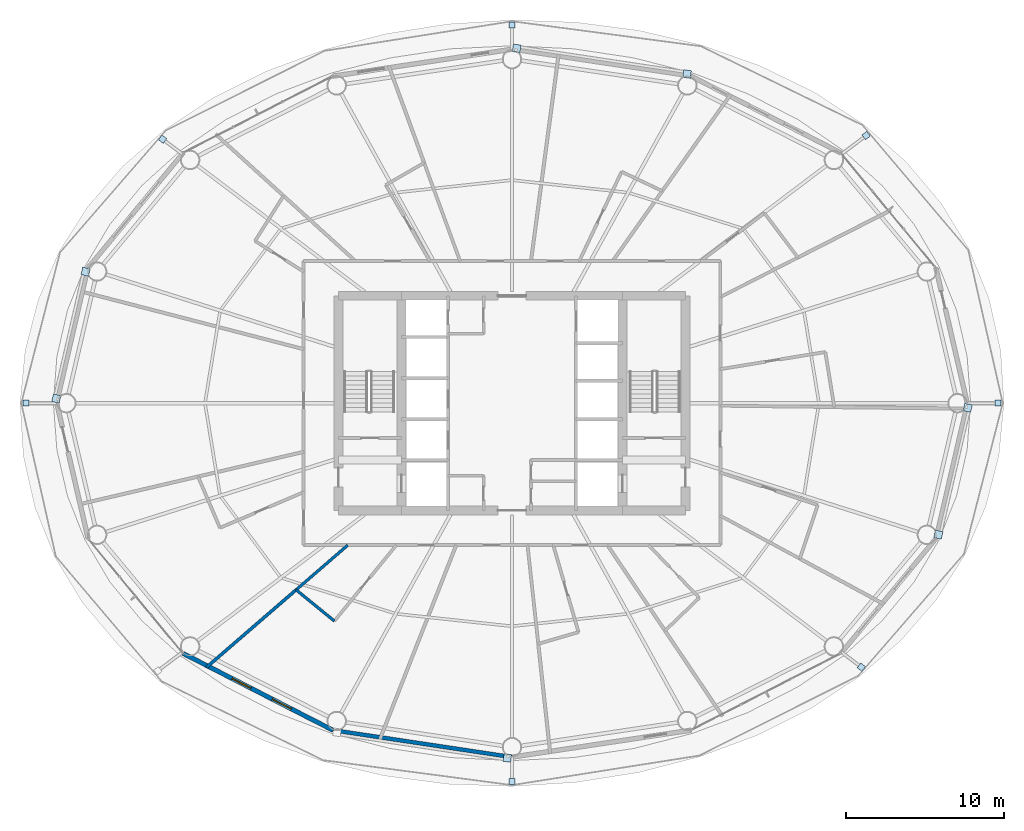
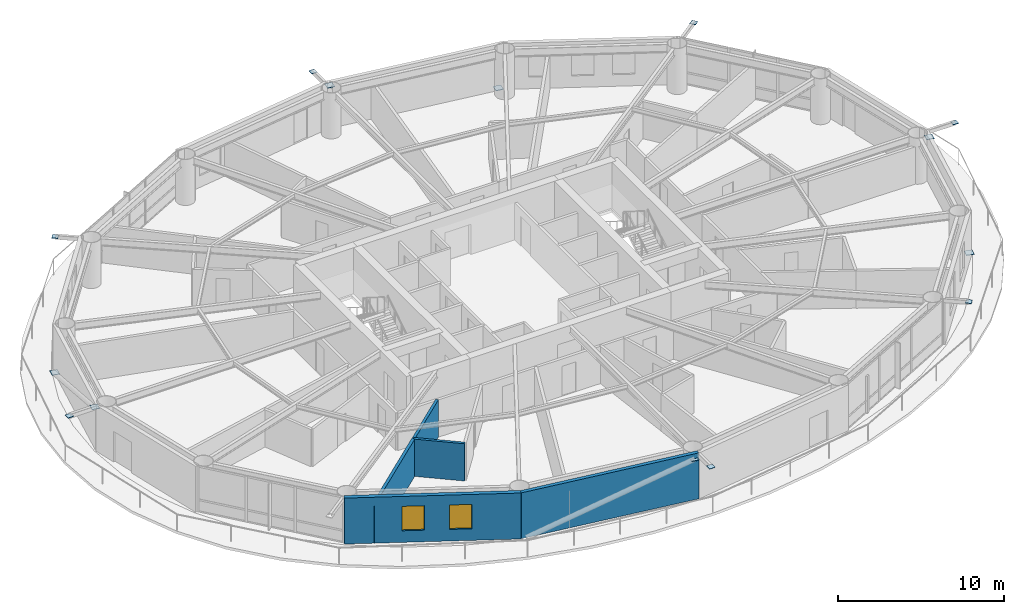
# One storey, part 17 of 24: 14 plates, 5 walls, 2 windows, 2 openings.
"""IFC4 building model written with IfcOpenShell, lengths in metres."""

from ifc_helpers import new_model, si_unit, direction, frame, frame_2d, origin, origin_2d, place, context, subcontext, project, spatial, rectangle, extrude, material, layer, layer_set, type_object, element, fill, save


model = new_model("IFC4")

# Units and contexts
model_context = context("Model", 3, precision=1e-05, world=origin(), true_north=direction((0.0, 1.0)))
body_context = subcontext(model_context, "Body", "Model", "MODEL_VIEW")
ifc_project = project(units=[si_unit("LENGTHUNIT", "METRE"), si_unit("AREAUNIT", "SQUARE_METRE"), si_unit("VOLUMEUNIT", "CUBIC_METRE"), si_unit("PLANEANGLEUNIT", "RADIAN"), si_unit("MASSUNIT", "GRAM", prefix="KILO")], contexts=[model_context])

# Site, building, storey
site_placement = place(None, origin())
site = spatial("IfcSite", under=ifc_project, at=site_placement, CompositionType="ELEMENT")
building_placement = place(site_placement, origin())
building = spatial("IfcBuilding", under=site, at=building_placement, Name="Sarneth Arch Tower", CompositionType="ELEMENT")
storey_placement = place(building_placement, frame((0.0, 0.0, 105.60009765625)))
storey = spatial("IfcBuildingStorey", under=building, at=storey_placement, Name="L26", CompositionType="ELEMENT", Elevation=105.60009765625)

# Plates
ifc_material_1 = material(Name="Steel S355", Category="steel")
ifc_layer_1 = layer(ifc_material_1, 0.035888671875)
ifc_layer_set_1 = layer_set([ifc_layer_1], Name="Steel S355")
plate_type = type_object("IfcPlateType", Name="PLT-GUSSET-30", PredefinedType="SHEET", material=ifc_layer_set_1)
for number, where, z_axis, x_axis, name in (
    (1, (78.809326171875, 42.0, 3.2021484375), (0.0, 0.0, 1.0), (1.0, 0.0, 0.0), "Steel end cap plate GP-1"),
    (2, (70.44482421875, 58.9619140625, 3.2021484375), (0.0, 0.0, 1.0), (0.797794439539, 0.602929541689, 0.0), "Steel end cap plate GP-1"),
):
    element("IfcPlate", number, at=place(storey_placement, frame(where, z_axis=z_axis, x_axis=x_axis)), inside=storey, type_object=plate_type, Name=name, PredefinedType="SHEET", context=body_context, shape_type="SweptSolid", body=[
        extrude(rectangle(XDim=0.3798828125, YDim=0.3798828125, at=origin_2d()), origin(), (0.0, 0.0, 1.0), 0.035888671875),
    ])
for number, where, z_axis, x_axis, name in (
    (3, (59.0927734375, 62.859619140625, 0.001953125), (0.0, 0.0, 1.0), (-0.988860535448, 0.148845024885, 0.0), "Steel end cap plate GP-1"),
    (4, (48.296630859375, 64.4853515625, 2.99462890625), (0.0, 0.0, 1.0), (-0.988860535448, 0.148845024885, 0.0), "Steel end cap plate GP-1"),
):
    element("IfcPlate", number, at=place(storey_placement, frame(where, z_axis=z_axis, x_axis=x_axis)), inside=storey, type_object=plate_type, Name=name, PredefinedType="SHEET", context=body_context, shape_type="SweptSolid", body=[
        extrude(rectangle(XDim=0.486083984375, YDim=0.486083984375, at=origin_2d()), origin(), (0.0, 0.0, 1.0), 0.035888671875),
    ])
for number, where, z_axis, x_axis, name in (
    (5, (48.0, 65.977294921875, 3.2021484375), (0.0, 0.0, 1.0), (0.0, 1.0, 0.0), "Steel end cap plate GP-1"),
    (6, (25.85986328125, 58.731689453125, 3.2021484375), (0.0, 0.0, 1.0), (-0.797794439539, 0.602929541689, 0.0), "Steel end cap plate GP-1"),
):
    element("IfcPlate", number, at=place(storey_placement, frame(where, z_axis=z_axis, x_axis=x_axis)), inside=storey, type_object=plate_type, Name=name, PredefinedType="SHEET", context=body_context, shape_type="SweptSolid", body=[
        extrude(rectangle(XDim=0.3798828125, YDim=0.3798828125, at=origin_2d()), origin(), (0.0, 0.0, 1.0), 0.035888671875),
    ])
for number, where, z_axis, x_axis, name in (
    (7, (20.98046875, 50.32958984375, 0.001953125), (0.0, 0.0, 1.0), (-0.225291159947, -0.974291482694, 0.0), "Steel end cap plate GP-1"),
    (8, (19.121337890625, 42.292236328125, 2.99462890625), (0.0, 0.0, 1.0), (-0.225291159947, -0.974291482694, 0.0), "Steel end cap plate GP-1"),
):
    element("IfcPlate", number, at=place(storey_placement, frame(where, z_axis=z_axis, x_axis=x_axis)), inside=storey, type_object=plate_type, Name=name, PredefinedType="SHEET", context=body_context, shape_type="SweptSolid", body=[
        extrude(rectangle(XDim=0.486083984375, YDim=0.486083984375, at=origin_2d()), origin(), (0.0, 0.0, 1.0), 0.035888671875),
    ])
plate_1_placement = place(storey_placement, frame((17.190673828125, 42.0, 3.2021484375), z_axis=(0.0, 0.0, 1.0), x_axis=(-1.0, 0.0, 0.0)))
element("IfcPlate", 9, at=plate_1_placement, inside=storey, type_object=plate_type, Name="Steel end cap plate GP-1", PredefinedType="SHEET", context=body_context, shape_type="SweptSolid", body=[
    extrude(rectangle(XDim=0.3798828125, YDim=0.3798828125, at=origin_2d()), origin(), (0.0, 0.0, 1.0), 0.035888671875),
])
plate_2_placement = place(storey_placement, frame((47.703369140625, 19.5146484375, 2.99462890625), z_axis=(0.0, 0.0, 1.0), x_axis=(0.988860535448, -0.148845024885, 0.0)))
element("IfcPlate", 10, at=plate_2_placement, inside=storey, type_object=plate_type, Name="Steel end cap plate GP-1", PredefinedType="SHEET", context=body_context, shape_type="SweptSolid", body=[
    extrude(rectangle(XDim=0.486083984375, YDim=0.486083984375, at=origin_2d()), origin(), (0.0, 0.0, 1.0), 0.035888671875),
])
for number, where, z_axis, x_axis, name in (
    (11, (48.0, 18.022705078125, 3.2021484375), (0.0, 0.0, 1.0), (0.0, -1.0, 0.0), "Steel end cap plate GP-1"),
    (12, (70.14013671875, 25.268310546875, 3.2021484375), (0.0, 0.0, 1.0), (0.797794439539, -0.602929541689, 0.0), "Steel end cap plate GP-1"),
):
    element("IfcPlate", number, at=place(storey_placement, frame(where, z_axis=z_axis, x_axis=x_axis)), inside=storey, type_object=plate_type, Name=name, PredefinedType="SHEET", context=body_context, shape_type="SweptSolid", body=[
        extrude(rectangle(XDim=0.3798828125, YDim=0.3798828125, at=origin_2d()), origin(), (0.0, 0.0, 1.0), 0.035888671875),
    ])
for number, where, z_axis, x_axis, name in (
    (13, (75.01953125, 33.67041015625, 0.001953125), (0.0, 0.0, 1.0), (0.225291159947, 0.974291482694, 0.0), "Steel end cap plate GP-1"),
    (14, (76.878662109375, 41.707763671875, 2.99462890625), (0.0, 0.0, 1.0), (0.225291159947, 0.974291482694, 0.0), "Steel end cap plate GP-1"),
):
    element("IfcPlate", number, at=place(storey_placement, frame(where, z_axis=z_axis, x_axis=x_axis)), inside=storey, type_object=plate_type, Name=name, PredefinedType="SHEET", context=body_context, shape_type="SweptSolid", body=[
        extrude(rectangle(XDim=0.486083984375, YDim=0.486083984375, at=origin_2d()), origin(), (0.0, 0.0, 1.0), 0.035888671875),
    ])

# Wall
ifc_material_2 = material(Name="Extruded terracotta rainscreen on Concrete C40/50 backing", Category="masonry")
ifc_layer_2 = layer(ifc_material_2, 0.25)
ifc_layer_set_2 = layer_set([ifc_layer_2], Name="Extruded terracotta rainscreen on Concrete C40/50 backing")
wall_type_1 = type_object("IfcWallType", Name="WALL-EXT-SPAND-250", PredefinedType="SOLIDWALL", material=ifc_layer_set_2)
wall_1_placement = place(storey_placement, frame((36.648681640625, 21.27734375, 0.0), z_axis=(0.0, 0.0, 1.0), x_axis=(0.988877774656, -0.148730450117, 0.0)))
element("IfcWall", 15, at=wall_1_placement, inside=storey, type_object=wall_type_1, Name="L26 Terracotta perimeter wall 12", PredefinedType="SOLIDWALL", context=body_context, shape_type="SweptSolid", body=[
    extrude(rectangle(XDim=11.47900390625, YDim=0.25, at=frame_2d((5.739501953125, 0.0))), origin(), (0.0, 0.0, 1.0), 3.3798828125),
])

# Wall, openings, windows
ifc_material_3 = material(Name="Extruded terracotta rainscreen on Concrete C40/50 backing", Category="masonry")
ifc_layer_3 = layer(ifc_material_3, 0.280029296875)
ifc_layer_set_3 = layer_set([ifc_layer_3], Name="Extruded terracotta rainscreen on Concrete C40/50 backing")
wall_type_2 = type_object("IfcWallType", Name="WALL-EXT-TERRA-280", PredefinedType="SOLIDWALL", material=ifc_layer_set_3)
wall_2_placement = place(storey_placement, frame((27.159912109375, 26.1396484375, 0.0), z_axis=(0.0, 0.0, 1.0), x_axis=(0.889959505023, -0.45603955905, 0.0)))
wall_2 = element("IfcWall", 16, at=wall_2_placement, inside=storey, type_object=wall_type_2, Name="L26 Terracotta perimeter wall 11", PredefinedType="SOLIDWALL", context=body_context, shape_type="SweptSolid", body=[
    extrude(rectangle(XDim=10.662109375, YDim=0.280029296875, at=frame_2d((5.3310546875, 0.0))), origin(), (0.0, 0.0, 1.0), 3.3798828125),
])
opening_1_placement = place(wall_2_placement, frame((3.480712890625, 0.0, 0.85009765625)))
opening_1 = element("IfcOpeningElement", 17, at=opening_1_placement, cuts=wall_2, Name="Opening W-08", PredefinedType="OPENING", context=body_context, shape_type="SweptSolid", body=[
    extrude(rectangle(XDim=1.35009765625, YDim=1.800048828125, at=frame_2d((0.675048828125, 0.89990234375))), frame((0.0, 0.14990234375, 0.0), z_axis=(0.0, -1.0, 0.0), x_axis=(1.0, 0.0, 0.0)), (0.0, 0.0, 1.0), 0.300048828125),
])
opening_2_placement = place(wall_2_placement, frame((6.345703125, 0.0, 0.85009765625)))
opening_2 = element("IfcOpeningElement", 18, at=opening_2_placement, cuts=wall_2, Name="Opening W-08", PredefinedType="OPENING", context=body_context, shape_type="SweptSolid", body=[
    extrude(rectangle(XDim=1.35009765625, YDim=1.800048828125, at=frame_2d((0.675048828125, 0.89990234375))), frame((0.0, 0.14990234375, 0.0), z_axis=(0.0, -1.0, 0.0), x_axis=(1.0, 0.0, 0.0)), (0.0, 0.0, 1.0), 0.300048828125),
])
ifc_material_4 = material(Name="Thermally broken Aluminium 6063-T6 and low-e laminated IGU", Category="aluminium")
window_type = type_object("IfcWindowType", Name="WIN-TWR-1350x1800", PartitioningType="SINGLE_PANEL", PredefinedType="WINDOW", material=ifc_material_4)
window_1_placement = place(opening_1_placement, origin())
window_1 = element("IfcWindow", 19, at=window_1_placement, inside=storey, type_object=window_type, Name="L26 Exterior window 11A", OverallHeight=1.800048828125, OverallWidth=1.35009765625, PartitioningType="SINGLE_PANEL", PredefinedType="WINDOW", context=body_context, shape_type="SweptSolid", body=[
    extrude(rectangle(XDim=1.35009765625, YDim=1.800048828125, at=frame_2d((0.675048828125, 0.89990234375))), frame((0.0, 0.030029296875, 0.0), z_axis=(0.0, -1.0, 0.0), x_axis=(1.0, 0.0, 0.0)), (0.0, 0.0, 1.0), 0.06005859375),
])
fill(opening_1, window_1)
window_2_placement = place(opening_2_placement, origin())
window_2 = element("IfcWindow", 20, at=window_2_placement, inside=storey, type_object=window_type, Name="L26 Exterior window 11B", OverallHeight=1.800048828125, OverallWidth=1.35009765625, PartitioningType="SINGLE_PANEL", PredefinedType="WINDOW", context=body_context, shape_type="SweptSolid", body=[
    extrude(rectangle(XDim=1.35009765625, YDim=1.800048828125, at=frame_2d((0.675048828125, 0.89990234375))), frame((0.0, 0.030029296875, 0.0), z_axis=(0.0, -1.0, 0.0), x_axis=(1.0, 0.0, 0.0)), (0.0, 0.0, 1.0), 0.06005859375),
])
fill(opening_2, window_2)

# Walls
ifc_material_5 = material(Name="Moisture-resistant plumbing chase wall", Category="gypsum")
ifc_layer_4 = layer(ifc_material_5, 0.179931640625)
ifc_layer_set_4 = layer_set([ifc_layer_4], Name="Moisture-resistant plumbing chase wall")
wall_type_3 = type_object("IfcWallType", Name="WALL-PLUMB-180", PredefinedType="PLUMBINGWALL", material=ifc_layer_set_4)
wall_3_placement = place(storey_placement, frame((34.318603515625, 30.171142578125, 0.0), z_axis=(0.0, 0.0, 1.0), x_axis=(0.756448461864, 0.654053304053, 0.0)))
element("IfcWall", 21, at=wall_3_placement, inside=storey, type_object=wall_type_3, Name="L26 Interior partition W-L26-TP-051", PredefinedType="PLUMBINGWALL", context=body_context, shape_type="SweptSolid", body=[
    extrude(rectangle(XDim=4.3251953125, YDim=0.179931640625, at=frame_2d((2.16259765625, 0.0))), origin(), (0.0, 0.0, 1.0), 2.739990234375),
])
wall_4_placement = place(storey_placement, frame((36.745361328125, 28.193115234375, 0.0), z_axis=(0.0, 0.0, 1.0), x_axis=(-0.775130314585, 0.631801389212, 0.0)))
element("IfcWall", 22, at=wall_4_placement, inside=storey, type_object=wall_type_3, Name="L26 Interior partition W-L26-TP-053", PredefinedType="PLUMBINGWALL", context=body_context, shape_type="SweptSolid", body=[
    extrude(rectangle(XDim=3.130859375, YDim=0.179931640625, at=frame_2d((1.5654296875, 0.0))), origin(), (0.0, 0.0, 1.0), 2.739990234375),
])
ifc_material_6 = material(Name="Double steel-stud acoustic drywall", Category="steel")
ifc_layer_5 = layer(ifc_material_6, 0.199951171875)
ifc_layer_set_5 = layer_set([ifc_layer_5], Name="Double steel-stud acoustic drywall")
wall_type_4 = type_object("IfcWallType", Name="WALL-UNIT-200", PredefinedType="PARTITIONING", material=ifc_layer_set_5)
wall_5_placement = place(storey_placement, frame((28.635986328125, 25.25830078125, 0.0), z_axis=(0.0, 0.0, 1.0), x_axis=(0.756485284597, 0.654010714124, 0.0)))
element("IfcWall", 23, at=wall_5_placement, inside=storey, type_object=wall_type_4, Name="L26 Interior partition W-L26-TP-050", PredefinedType="PARTITIONING", context=body_context, shape_type="SweptSolid", body=[
    extrude(rectangle(XDim=7.511962890625, YDim=0.199951171875, at=frame_2d((3.755859375, 0.0))), origin(), (0.0, 0.0, 1.0), 2.739990234375),
])

save(model, "model.ifc")
